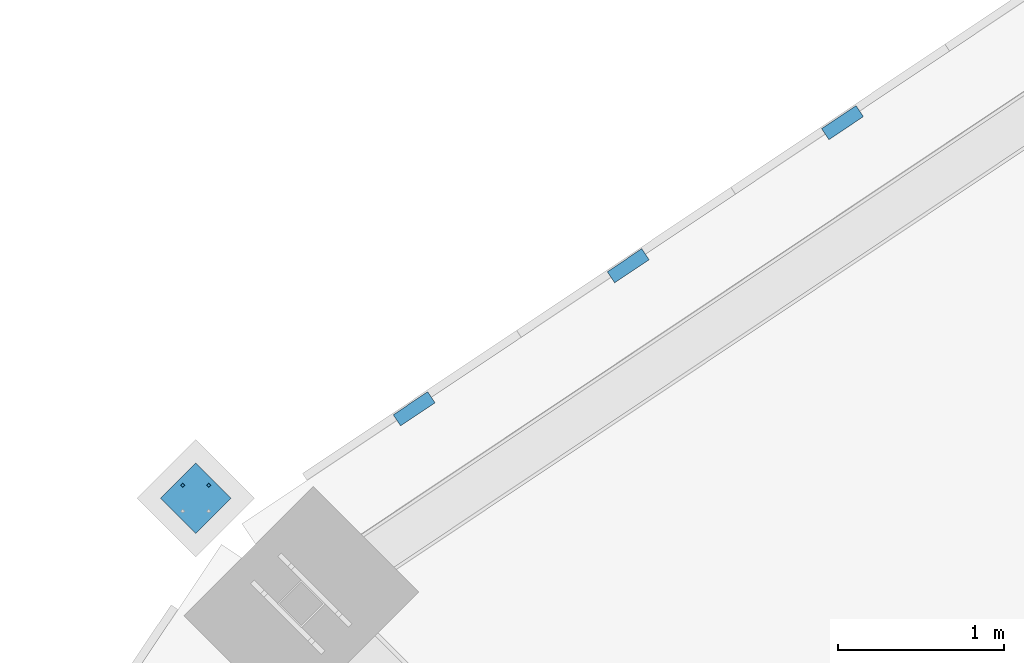
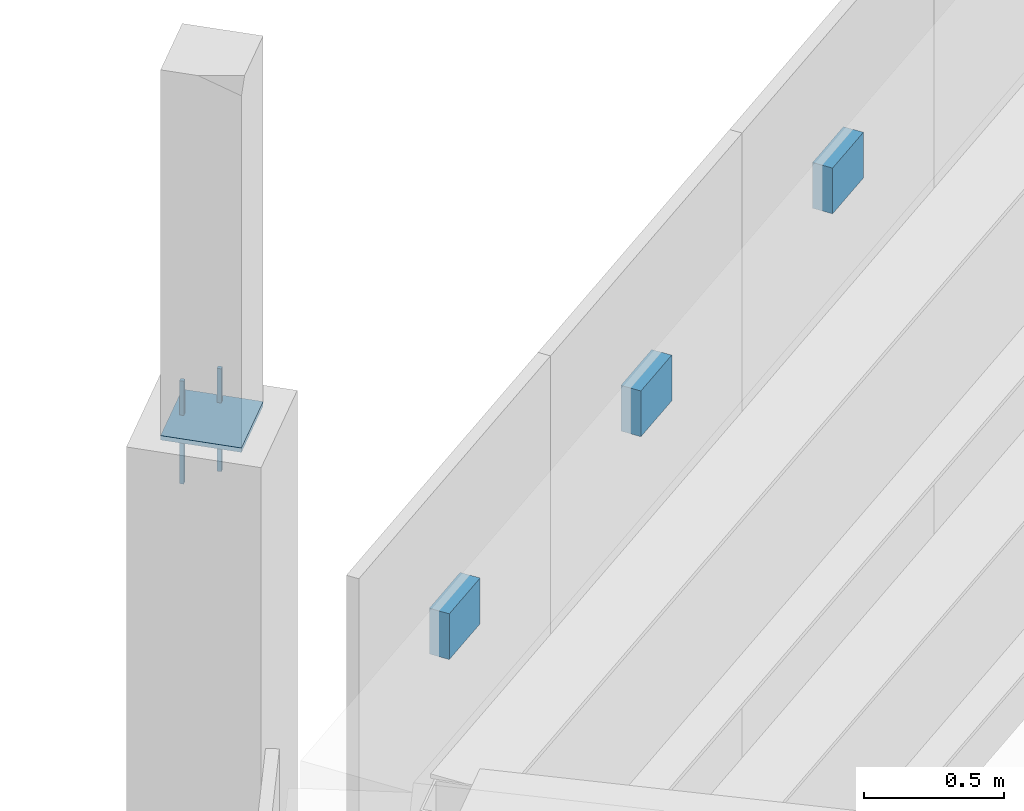
# One storey, part 224 of 278: 4 discrete accessories, 2 mechanical fasteners.
"""IFC4 building model written with IfcOpenShell, lengths in metres."""

from ifc_helpers import new_model, si_unit, direction, frame, origin, origin_2d, place, context, subcontext, project, spatial, rectangle, extrude, material, layer, layer_set, type_object, element, save


model = new_model("IFC4")

# Units and contexts
model_context = context("Model", 3, precision=1e-05, world=origin(), true_north=direction((0.0, 1.0)))
body_context = subcontext(model_context, "Body", "Model", "MODEL_VIEW")
ifc_project = project(units=[si_unit("LENGTHUNIT", "METRE"), si_unit("AREAUNIT", "SQUARE_METRE"), si_unit("VOLUMEUNIT", "CUBIC_METRE"), si_unit("PLANEANGLEUNIT", "RADIAN"), si_unit("MASSUNIT", "GRAM", prefix="KILO")], contexts=[model_context])

# Site, building, storey
site_placement = place(None, origin())
site = spatial("IfcSite", under=ifc_project, at=site_placement, CompositionType="ELEMENT")
building_placement = place(site_placement, origin())
building = spatial("IfcBuilding", under=site, at=building_placement, Name="Ogive Plaza Stadium", CompositionType="ELEMENT")
storey_placement = place(building_placement, frame((0.0, 0.0, 29.0)))
storey = spatial("IfcBuildingStorey", under=building, at=storey_placement, Name="Roof", CompositionType="ELEMENT", Elevation=29.0)

# Mechanical fasteners
ifc_material_1 = material(Name="Steel ASTM A992 Grade 50", Category="steel")
mechanical_fastener_type = type_object("IfcMechanicalFastenerType", Name="Spire anchor bolt M16 x 450", PredefinedType="ANCHORBOLT", material=ifc_material_1)
for number, where, z_axis, x_axis, name in (
    (1, (-70.069580078125, 88.569580078125, 6.7001953125), (0.0, 0.0, 1.0), (-0.707106781187, 0.707106781187, 0.0), "SPIRE ANCHOR BOLT 30 1"),
    (2, (-69.9140625, 88.569580078125, 6.7001953125), (0.0, 0.0, 1.0), (-0.707106781187, 0.707106781187, 0.0), "SPIRE ANCHOR BOLT 30 4"),
):
    element("IfcMechanicalFastener", number, at=place(storey_placement, frame(where, z_axis=z_axis, x_axis=x_axis)), inside=storey, type_object=mechanical_fastener_type, Name=name, PredefinedType="ANCHORBOLT", context=body_context, shape_type="SweptSolid", body=[
        extrude(rectangle(XDim=0.01611328125, YDim=0.01611328125, at=origin_2d()), origin(), (0.0, 0.0, 1.0), 0.449951171875),
    ])

# Discrete accessories
ifc_material_2 = material(Name="Steel ASTM A992 Grade 50", Category="steel")
ifc_layer_1 = layer(ifc_material_2, 0.02001953125)
ifc_layer_set_1 = layer_set([ifc_layer_1], Name="Steel ASTM A992 Grade 50")
discrete_accessory_type_1 = type_object("IfcDiscreteAccessoryType", Name="Spire seat plate 20", PredefinedType="ANCHORPLATE", material=ifc_layer_set_1)
discrete_accessory_placement = place(storey_placement, frame((-69.99169921875, 88.49169921875, 6.98095703125), z_axis=(0.0, 0.0, 1.0), x_axis=(-0.707106781187, 0.707106781187, 0.0)))
element("IfcDiscreteAccessory", 3, at=discrete_accessory_placement, inside=storey, type_object=discrete_accessory_type_1, Name="SPIRE SEAT PLATE 30", PredefinedType="ANCHORPLATE", context=body_context, shape_type="SweptSolid", body=[
    extrude(rectangle(XDim=0.300048828125, YDim=0.300048828125, at=origin_2d()), origin(), (0.0, 0.0, 1.0), 0.02001953125),
])
ifc_material_3 = material(Name="Steel ASTM A572 Grade 50", Category="steel")
ifc_layer_2 = layer(ifc_material_3, 0.080078125)
ifc_layer_set_2 = layer_set([ifc_layer_2], Name="Steel ASTM A572 Grade 50")
discrete_accessory_type_2 = type_object("IfcDiscreteAccessoryType", Name="Tracery screen bracket 250x200", PredefinedType="BRACKET", material=ifc_layer_set_2)
for number, where, z_axis, x_axis, name in (
    (4, (-68.676025390625, 89.0302734375, 5.25), (0.0, 0.0, 1.0), (0.831469612303, 0.55557023302, 0.0), "TRACERY SCREEN BRACKET B30 1"),
    (5, (-67.385498046875, 89.892578125, 5.25), (0.0, 0.0, 1.0), (0.831469612303, 0.55557023302, 0.0), "TRACERY SCREEN BRACKET B30 2"),
    (6, (-66.0947265625, 90.7548828125, 5.25), (0.0, 0.0, 1.0), (0.831469612303, 0.55557023302, 0.0), "TRACERY SCREEN BRACKET B30 3"),
):
    element("IfcDiscreteAccessory", number, at=place(storey_placement, frame(where, z_axis=z_axis, x_axis=x_axis)), inside=storey, type_object=discrete_accessory_type_2, Name=name, PredefinedType="BRACKET", context=body_context, shape_type="SweptSolid", body=[
        extrude(rectangle(XDim=0.25, YDim=0.080078125, at=origin_2d()), origin(), (0.0, 0.0, 1.0), 0.199951171875),
    ])

save(model, "model.ifc")
